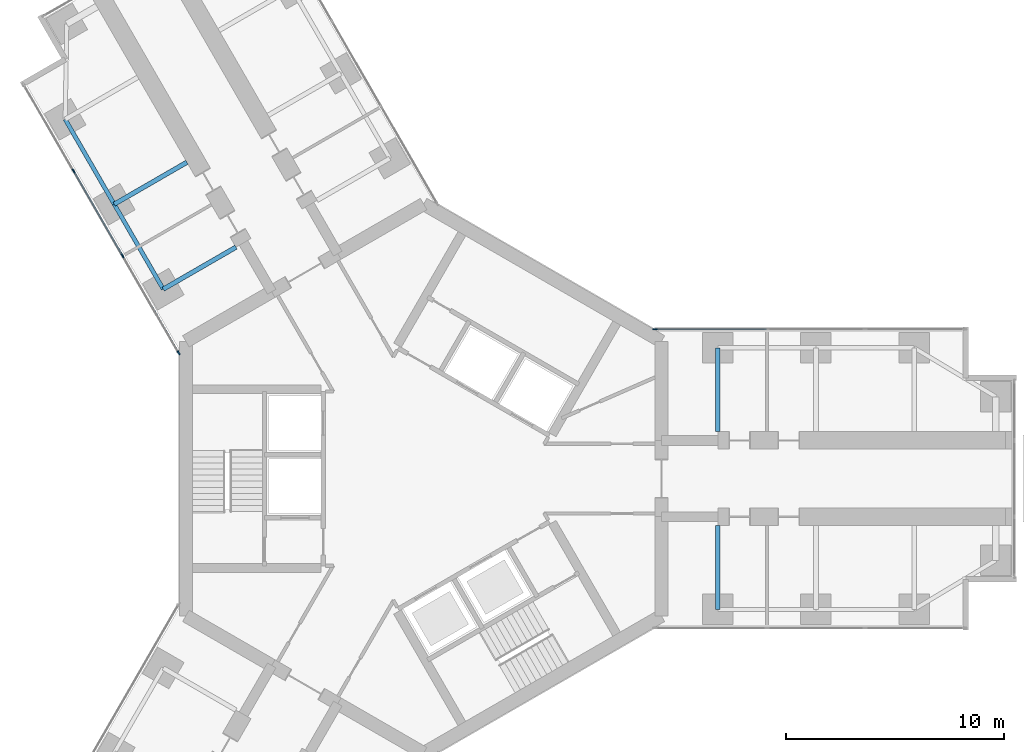
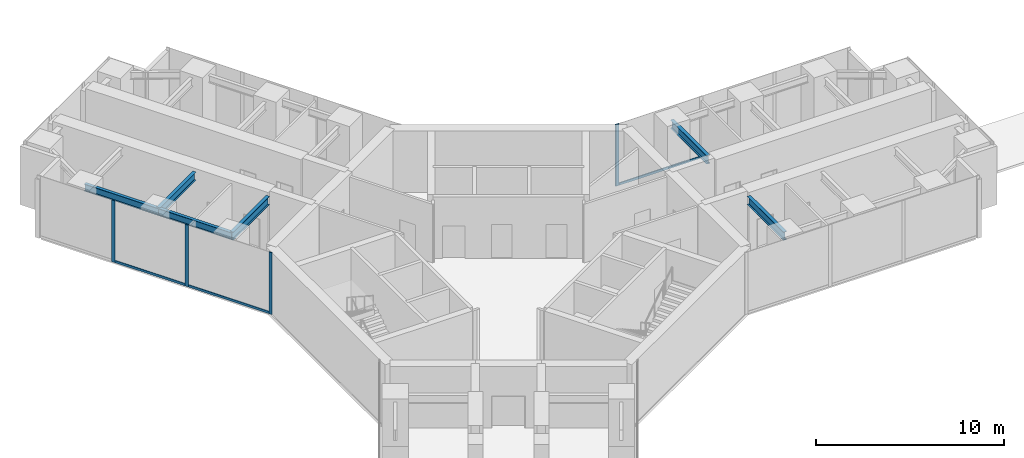
# One storey, part 5 of 22: 7 members, 6 beams, 2 elements without a shape of their own.
"""IFC4 building model written with IfcOpenShell, lengths in metres."""

from ifc_helpers import new_model, si_unit, direction, frame, origin, origin_2d, place, context, subcontext, project, spatial, rectangle, i_section, extrude, material, material_profile, profile_set, type_object, element, aggregate, save


model = new_model("IFC4")

# Units and contexts
model_context = context("Model", 3, precision=1e-05, world=origin(), true_north=direction((0.0, 1.0)))
body_context = subcontext(model_context, "Body", "Model", "MODEL_VIEW")
ifc_project = project(units=[si_unit("LENGTHUNIT", "METRE"), si_unit("AREAUNIT", "SQUARE_METRE"), si_unit("VOLUMEUNIT", "CUBIC_METRE"), si_unit("PLANEANGLEUNIT", "RADIAN"), si_unit("MASSUNIT", "GRAM", prefix="KILO")], contexts=[model_context])

# Site, building, storey
site_placement = place(None, origin())
site = spatial("IfcSite", under=ifc_project, at=site_placement, CompositionType="ELEMENT")
building_placement = place(site_placement, origin())
building = spatial("IfcBuilding", under=site, at=building_placement, Name="Upepo Twin Towers", CompositionType="ELEMENT")
storey_placement = place(building_placement, frame((0.0, 0.0, 97.5)))
storey = spatial("IfcBuildingStorey", under=building, at=storey_placement, Name="L23", CompositionType="ELEMENT", Elevation=97.5)

# Beams
ifc_material_1 = material(Name="Steel S355", Category="steel")
ifc_material_profile_1 = material_profile(ifc_material_1, i_section(OverallWidth=0.1904296875, OverallDepth=0.45703125, WebThickness=0.009033203125, FlangeThickness=0.014404296875, FilletRadius=0.01025390625, at=origin_2d()), Name="UB 457x191x74")
ifc_profile_set_1 = profile_set([ifc_material_profile_1], Name="Steel S355")
beam_type_1 = type_object("IfcBeamType", Name="Beam UB 457x191x74", PredefinedType="BEAM", material=ifc_profile_set_1)
beam_1_placement = place(storey_placement, frame((-11.946044921875, 8.69140625, 3.571533203125), z_axis=(-0.500013631625, 0.866017533419, 0.0), x_axis=(-0.866017533419, -0.500013631625, 0.0)))
element("IfcBeam", 1, at=beam_1_placement, inside=storey, type_object=beam_type_1, Name="T1 edge beam BL 13.5-18.0", PredefinedType="BEAM", context=body_context, shape_type="SweptSolid", body=[
    extrude(i_section(OverallWidth=0.1904296875, OverallDepth=0.45703125, WebThickness=0.009033203125, FlangeThickness=0.014404296875, FilletRadius=0.01025390625, at=origin_2d()), origin(), (0.0, 0.0, 1.0), 4.499755859375),
])
beam_2_placement = place(storey_placement, frame((-14.196044921875, 12.58837890625, 3.571533203125), z_axis=(-0.499990139034, 0.866031096941, 0.0), x_axis=(-0.866031096941, -0.499990139034, 0.0)))
element("IfcBeam", 2, at=beam_2_placement, inside=storey, type_object=beam_type_1, Name="T1 edge beam BL 18.0-22.5", PredefinedType="BEAM", context=body_context, shape_type="SweptSolid", body=[
    extrude(i_section(OverallWidth=0.1904296875, OverallDepth=0.45703125, WebThickness=0.009033203125, FlangeThickness=0.014404296875, FilletRadius=0.01025390625, at=origin_2d()), origin(), (0.0, 0.0, 1.0), 4.5),
])
ifc_material_2 = material(Name="Steel S355", Category="steel")
ifc_material_profile_2 = material_profile(ifc_material_2, i_section(OverallWidth=0.209228515625, OverallDepth=0.533203125, WebThickness=0.010009765625, FlangeThickness=0.015625, FilletRadius=0.0126953125, at=origin_2d()), Name="UB 533x210x92")
ifc_profile_set_2 = profile_set([ifc_material_profile_2], Name="Steel S355")
beam_type_2 = type_object("IfcBeamType", Name="Beam UB 533x210x92", PredefinedType="BEAM", material=ifc_profile_set_2)
for number, where, z_axis, x_axis, name in (
    (3, (13.5, 6.0, 3.533447265625), (0.0, -1.0, 0.0), (1.0, 0.0, 0.0), "T1 girder AL at 13.5"),
    (4, (13.5, -6.0, 3.533447265625), (0.0, 1.0, 0.0), (-1.0, 0.0, 0.0), "T1 girder AR at 13.5"),
):
    element("IfcBeam", number, at=place(storey_placement, frame(where, z_axis=z_axis, x_axis=x_axis)), inside=storey, type_object=beam_type_2, Name=name, PredefinedType="BEAM", context=body_context, shape_type="SweptSolid", body=[
        extrude(i_section(OverallWidth=0.209228515625, OverallDepth=0.533203125, WebThickness=0.010009765625, FlangeThickness=0.015625, FilletRadius=0.0126953125, at=origin_2d()), origin(), (0.0, 0.0, 1.0), 3.85009765625),
    ])
for number, where, z_axis, x_axis, name in (
    (5, (-11.946044921875, 8.69140625, 3.533447265625), (0.866006051527, 0.500033517596, 0.0), (-0.500033517596, 0.866006051527, 0.0), "T1 girder BL at 13.5"),
    (6, (-14.196044921875, 12.58837890625, 3.533447265625), (0.866006051527, 0.500033517596, 0.0), (-0.500033517596, 0.866006051527, 0.0), "T1 girder BL at 18.0"),
):
    element("IfcBeam", number, at=place(storey_placement, frame(where, z_axis=z_axis, x_axis=x_axis)), inside=storey, type_object=beam_type_2, Name=name, PredefinedType="BEAM", context=body_context, shape_type="SweptSolid", body=[
        extrude(i_section(OverallWidth=0.209228515625, OverallDepth=0.533203125, WebThickness=0.010009765625, FlangeThickness=0.015625, FilletRadius=0.0126953125, at=origin_2d()), origin(), (0.0, 0.0, 1.0), 3.849853515625),
    ])

# Curtain wall, member
ifc_material_3 = material(Name="Aluminium and fritted glass", Category="aluminium")
curtain_wall_type = type_object("IfcCurtainWallType", Name="Tower curtain wall TW2, fritted glass", PredefinedType="NOTDEFINED", material=ifc_material_3)
curtain_wall_1_placement = place(storey_placement, origin())
curtain_wall_1 = element("IfcCurtainWall", 7, at=curtain_wall_1_placement, inside=storey, type_object=curtain_wall_type, Name="T1 L23 wing A flank L curtain wall", PredefinedType="NOTDEFINED")
ifc_material_4 = material(Name="Aluminium mullion", Category="aluminium")
ifc_material_profile_3 = material_profile(ifc_material_4, rectangle(XDim=0.06494140625, YDim=0.199951171875, at=origin_2d()), Name="MULLION 65x200")
ifc_profile_set_3 = profile_set([ifc_material_profile_3], Name="Aluminium mullion")
member_type_1 = type_object("IfcMemberType", Name="Mullion 65x200 TW2", PredefinedType="MULLION", material=ifc_profile_set_3)
member_1_placement = place(storey_placement, frame((10.61962890625, 6.85009765625, 0.0), z_axis=(0.0, 0.0, 1.0), x_axis=(0.0, 1.0, 0.0)))
member_1 = element("IfcMember", 8, at=member_1_placement, type_object=member_type_1, Name="T1 L23 wing A flank L curtain wall mullion 1", PredefinedType="MULLION", context=body_context, shape_type="SweptSolid", body=[
    extrude(rectangle(XDim=0.06494140625, YDim=0.199951171875, at=origin_2d()), origin(), (0.0, 0.0, 1.0), 4.0),
])

# Curtain wall, members
curtain_wall_2_placement = place(storey_placement, origin())
curtain_wall_2 = element("IfcCurtainWall", 9, at=curtain_wall_2_placement, inside=storey, type_object=curtain_wall_type, Name="T1 L23 wing B flank L curtain wall", PredefinedType="NOTDEFINED")
member_2_placement = place(storey_placement, frame((-11.2421875, 5.77197265625, 0.0), z_axis=(0.0, 0.0, 1.0), x_axis=(-0.866025397833, -0.500000010308, 0.0)))
member_2 = element("IfcMember", 10, at=member_2_placement, type_object=member_type_1, Name="T1 L23 wing B flank L curtain wall mullion 1", PredefinedType="MULLION", context=body_context, shape_type="SweptSolid", body=[
    extrude(rectangle(XDim=0.06494140625, YDim=0.199951171875, at=origin_2d()), origin(), (0.0, 0.0, 1.0), 4.0),
])
member_3_placement = place(storey_placement, frame((-13.807373046875, 10.21484375, 0.0), z_axis=(0.0, 0.0, 1.0), x_axis=(-0.866025397833, -0.500000010308, 0.0)))
member_3 = element("IfcMember", 11, at=member_3_placement, type_object=member_type_1, Name="T1 L23 wing B flank L curtain wall mullion 2", PredefinedType="MULLION", context=body_context, shape_type="SweptSolid", body=[
    extrude(rectangle(XDim=0.06494140625, YDim=0.199951171875, at=origin_2d()), origin(), (0.0, 0.0, 1.0), 4.0),
])
member_4_placement = place(storey_placement, frame((-16.057373046875, 14.112060546875, 0.0), z_axis=(0.0, 0.0, 1.0), x_axis=(-0.866025397833, -0.500000010308, 0.0)))
member_4 = element("IfcMember", 12, at=member_4_placement, type_object=member_type_1, Name="T1 L23 wing B flank L curtain wall mullion 3", PredefinedType="MULLION", context=body_context, shape_type="SweptSolid", body=[
    extrude(rectangle(XDim=0.06494140625, YDim=0.199951171875, at=origin_2d()), origin(), (0.0, 0.0, 1.0), 4.0),
])

# Member
ifc_material_5 = material(Name="Aluminium transom", Category="aluminium")
ifc_material_profile_4 = material_profile(ifc_material_5, rectangle(XDim=0.06494140625, YDim=0.14990234375, at=origin_2d()), Name="TRANSOM 65x150")
ifc_profile_set_4 = profile_set([ifc_material_profile_4], Name="Aluminium transom")
member_type_2 = type_object("IfcMemberType", Name="Transom 65x150 TW2", PredefinedType="USERDEFINED", material=ifc_profile_set_4)
member_5_placement = place(storey_placement, frame((10.652099609375, 6.85009765625, 0.074951171875), z_axis=(1.0, 0.0, 0.0), x_axis=(0.0, 1.0, 0.0)))
member_5 = element("IfcMember", 13, at=member_5_placement, type_object=member_type_2, Name="T1 L23 wing A flank L curtain wall transom 1", ObjectType="TRANSOM", PredefinedType="USERDEFINED", context=body_context, shape_type="SweptSolid", body=[
    extrude(rectangle(XDim=0.06494140625, YDim=0.14990234375, at=origin_2d()), origin(), (0.0, 0.0, 1.0), 5.0654296875),
])

aggregate(curtain_wall_1, [member_1, member_5])

member_6_placement = place(storey_placement, frame((-11.25830078125, 5.800048828125, 0.074951171875), z_axis=(-0.500006158363, 0.866021848223, 0.0), x_axis=(-0.866021848223, -0.500006158363, 0.0)))
member_6 = element("IfcMember", 14, at=member_6_placement, type_object=member_type_2, Name="T1 L23 wing B flank L curtain wall transom 1", ObjectType="TRANSOM", PredefinedType="USERDEFINED", context=body_context, shape_type="SweptSolid", body=[
    extrude(rectangle(XDim=0.06494140625, YDim=0.14990234375, at=origin_2d()), origin(), (0.0, 0.0, 1.0), 5.0654296875),
])

member_7_placement = place(storey_placement, frame((-13.823486328125, 10.2431640625, 0.074951171875), z_axis=(-0.500005184116, 0.866022410713, 0.0), x_axis=(-0.866022410713, -0.500005184116, 0.0)))
member_7 = element("IfcMember", 15, at=member_7_placement, type_object=member_type_2, Name="T1 L23 wing B flank L curtain wall transom 2", ObjectType="TRANSOM", PredefinedType="USERDEFINED", context=body_context, shape_type="SweptSolid", body=[
    extrude(rectangle(XDim=0.06494140625, YDim=0.14990234375, at=origin_2d()), origin(), (0.0, 0.0, 1.0), 4.43505859375),
])

aggregate(curtain_wall_2, [member_2, member_3, member_4, member_6, member_7])

save(model, "model.ifc")
